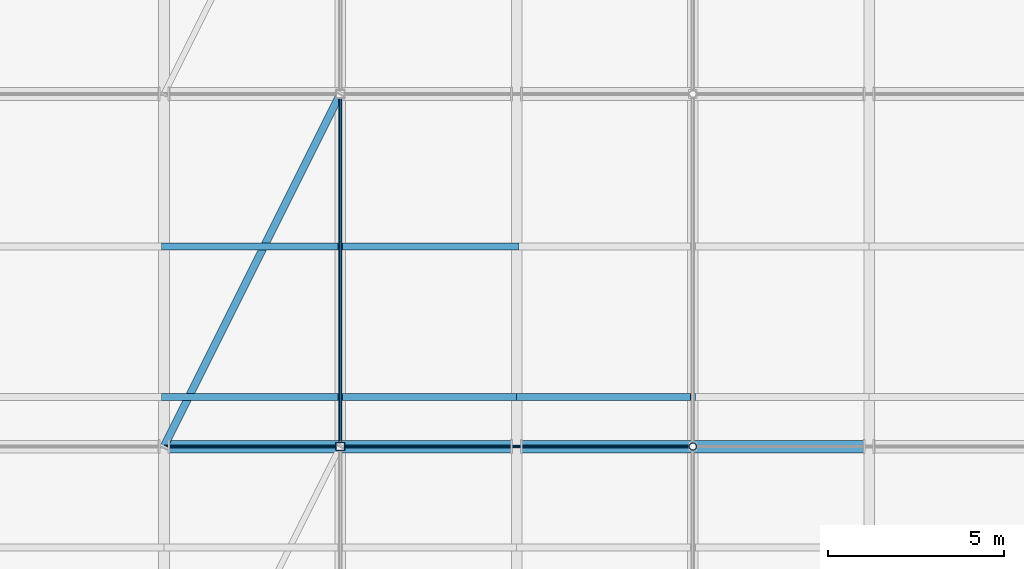
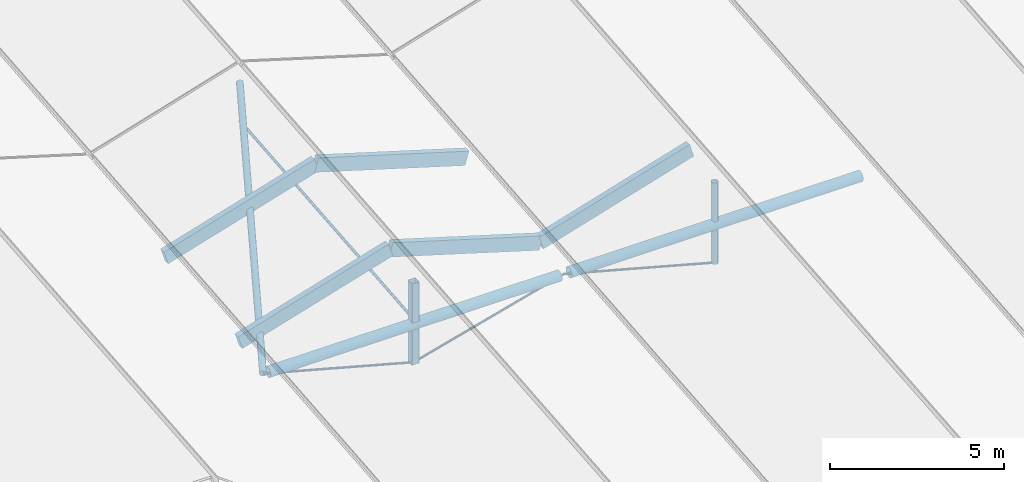
# One storey, part 25 of 90: 12 members, 2 beams.
"""IFC4 building model written with IfcOpenShell, lengths in metres."""

from ifc_helpers import new_model, si_unit, direction, frame, origin, origin_2d, place, context, subcontext, project, spatial, rectangle, hollow_rectangle, circle, hollow_circle, extrude, material, material_profile, profile_set, type_object, element, save


model = new_model("IFC4")

# Units and contexts
model_context = context("Model", 3, precision=1e-05, world=origin(), true_north=direction((0.0, 1.0)))
body_context = subcontext(model_context, "Body", "Model", "MODEL_VIEW")
ifc_project = project(units=[si_unit("LENGTHUNIT", "METRE"), si_unit("AREAUNIT", "SQUARE_METRE"), si_unit("VOLUMEUNIT", "CUBIC_METRE"), si_unit("PLANEANGLEUNIT", "RADIAN"), si_unit("MASSUNIT", "GRAM", prefix="KILO"), si_unit("THERMODYNAMICTEMPERATUREUNIT", "KELVIN"), si_unit("POWERUNIT", "WATT")], contexts=[model_context])

# Site, building, storey
site_placement = place(None, origin())
site = spatial("IfcSite", under=ifc_project, at=site_placement, CompositionType="ELEMENT")
building_placement = place(site_placement, origin())
building = spatial("IfcBuilding", under=site, at=building_placement, Name="Korenveer Ferry Terminal", CompositionType="ELEMENT")
storey_placement = place(building_placement, frame((0.0, 0.0, 22.199951171875)))
storey = spatial("IfcBuildingStorey", under=building, at=storey_placement, Name="RF", CompositionType="ELEMENT", Elevation=22.199951171875)

# Members
ifc_material_1 = material(Name="Steel S355", Category="steel")
ifc_material_profile_1 = material_profile(ifc_material_1, hollow_circle(Radius=0.109619140625, WallThickness=0.012451171875, at=origin_2d()), Name="CHS 219.1x12.5")
ifc_profile_set_1 = profile_set([ifc_material_profile_1], Name="Steel S355")
member_type_1 = type_object("IfcMemberType", Name="STR-BRC-CHS219", PredefinedType="BRACE", material=ifc_profile_set_1)
member_1_placement = place(storey_placement, frame((63.0, 70.0, -6.861572265625), z_axis=(0.437110045644, 0.874220091289, 0.211362342872), x_axis=(-0.894427191, 0.4472135955, 0.0)))
element("IfcMember", 1, at=member_1_placement, inside=storey, type_object=member_type_1, Name="Roof wind brace BRCRF-B1-Y70", PredefinedType="BRACE", context=body_context, shape_type="SweptSolid", body=[
    extrude(hollow_circle(Radius=0.109619140625, WallThickness=0.012451171875, at=origin_2d()), origin(), (0.0, 0.0, 1.0), 11.438720703125),
])
ifc_material_2 = material(Name="High-strength steel S460", Category="steel")
ifc_material_profile_2 = material_profile(ifc_material_2, circle(Radius=0.0380859375, at=origin_2d()), Name="ROD D76")
ifc_profile_set_2 = profile_set([ifc_material_profile_2], Name="High-strength steel S460")
member_type_2 = type_object("IfcMemberType", Name="STR-CBL-D76", PredefinedType="USERDEFINED", material=ifc_profile_set_2)
for number, where, z_axis, x_axis, name in (
    (2, (63.0, 70.0, -6.861572265625), (0.965424337217, 0.0, -0.260683426993), (0.0, 1.0, 0.0), "Roof tension tie cable 45"),
    (3, (73.0, 70.0, -6.861572265625), (-0.965424337217, 0.0, -0.260683426993), (0.0, -1.0, 0.0), "Roof tension tie cable 46"),
    (4, (73.0, 70.0, -6.861572265625), (0.965424337217, 0.0, -0.260683426993), (0.0, 1.0, 0.0), "Roof tension tie cable 47"),
):
    element("IfcMember", number, at=place(storey_placement, frame(where, z_axis=z_axis, x_axis=x_axis)), inside=storey, type_object=member_type_2, Name=name, ObjectType="CABLE", PredefinedType="USERDEFINED", context=body_context, shape_type="SweptSolid", body=[
        extrude(circle(Radius=0.0380859375, at=origin_2d()), origin(), (0.0, 0.0, 1.0), 5.178955078125),
    ])
ifc_material_profile_3 = material_profile(ifc_material_2, circle(Radius=0.044921875, at=origin_2d()), Name="ROD D90")
ifc_profile_set_3 = profile_set([ifc_material_profile_3], Name="High-strength steel S460")
member_type_3 = type_object("IfcMemberType", Name="STR-CBL-D90", PredefinedType="USERDEFINED", material=ifc_profile_set_3)
member_2_placement = place(storey_placement, frame((68.0, 70.0, -6.701904296875), z_axis=(0.0, 0.995903364261, 0.090423940715), x_axis=(-1.0, 0.0, 0.0)))
element("IfcMember", 5, at=member_2_placement, inside=storey, type_object=member_type_3, Name="Longitudinal jaw-stay cable 106", ObjectType="CABLE", PredefinedType="USERDEFINED", context=body_context, shape_type="SweptSolid", body=[
    extrude(circle(Radius=0.044921875, at=origin_2d()), origin(), (0.0, 0.0, 1.0), 10.041015625),
])
ifc_material_3 = material(Name="Glulam GL28h", Category="wood")
ifc_material_profile_4 = material_profile(ifc_material_3, rectangle(XDim=0.199951171875, YDim=0.47998046875, at=origin_2d()), Name="GL 200x480")
ifc_profile_set_4 = profile_set([ifc_material_profile_4], Name="Glulam GL28h")
member_type_4 = type_object("IfcMemberType", Name="STR-PUR-GL200", PredefinedType="PURLIN", material=ifc_profile_set_4)
for number, where, z_axis, x_axis, name in (
    (6, (63.0, 71.4072265625, -6.575439453125), (0.957323074362, 0.0, 0.289019949647), (0.0, 1.0, 0.0), "Folded roof glulam purlin 53"),
    (7, (63.0, 75.678466796875, -6.187744140625), (0.957310140112, 0.0, 0.289062788401), (0.0, 1.0, 0.0), "Folded roof glulam purlin 54"),
    (8, (68.0, 71.4072265625, -5.06591796875), (0.957323074362, 0.0, -0.289019949647), (0.0, 1.0, 0.0), "Folded roof glulam purlin 59"),
    (9, (68.0, 75.678466796875, -4.677978515625), (0.957310140112, 0.0, -0.289062788401), (0.0, 1.0, 0.0), "Folded roof glulam purlin 60"),
    (10, (73.0, 71.4072265625, -6.575439453125), (0.957323074362, 0.0, 0.289019949647), (0.0, 1.0, 0.0), "Folded roof glulam purlin 89"),
):
    element("IfcMember", number, at=place(storey_placement, frame(where, z_axis=z_axis, x_axis=x_axis)), inside=storey, type_object=member_type_4, Name=name, PredefinedType="PURLIN", context=body_context, shape_type="SweptSolid", body=[
        extrude(rectangle(XDim=0.199951171875, YDim=0.47998046875, at=origin_2d()), origin(), (0.0, 0.0, 1.0), 5.222900390625),
    ])

# Beams
ifc_material_profile_5 = material_profile(ifc_material_1, hollow_circle(Radius=0.177734375, WallThickness=0.01611328125, at=origin_2d()), Name="CHS 355.6x16")
ifc_profile_set_5 = profile_set([ifc_material_profile_5], Name="Steel S355")
beam_type = type_object("IfcBeamType", Name="STR-RFG-CHS355", PredefinedType="USERDEFINED", material=ifc_profile_set_5)
for number, where, z_axis, x_axis, name in (
    (11, (63.159912109375, 70.0, -6.861572265625), (1.0, 0.0, 0.0), (0.0, 1.0, 0.0), "Roof transverse tie girder 111"),
    (12, (73.159912109375, 70.0, -6.861572265625), (1.0, 0.0, 0.0), (0.0, 1.0, 0.0), "Roof transverse tie girder 112"),
):
    element("IfcBeam", number, at=place(storey_placement, frame(where, z_axis=z_axis, x_axis=x_axis)), inside=storey, type_object=beam_type, Name=name, ObjectType="ROOF GIRDER", PredefinedType="USERDEFINED", context=body_context, shape_type="SweptSolid", body=[
        extrude(hollow_circle(Radius=0.177734375, WallThickness=0.01611328125, at=origin_2d()), origin(), (0.0, 0.0, 1.0), 9.68017578125),
    ])

# Members
ifc_material_profile_6 = material_profile(ifc_material_1, hollow_circle(Radius=0.109619140625, WallThickness=0.012451171875, at=origin_2d()), Name="CHS 219.1x12.5")
ifc_profile_set_6 = profile_set([ifc_material_profile_6], Name="Steel S355")
member_type_5 = type_object("IfcMemberType", Name="STR-STT-CHS219", PredefinedType="STRUT", material=ifc_profile_set_6)
member_3_placement = place(storey_placement, frame((78.0, 70.0, -8.211669921875), z_axis=(0.0, 0.0, 1.0), x_axis=(1.0, 0.0, 0.0)))
element("IfcMember", 13, at=member_3_placement, inside=storey, type_object=member_type_5, Name="Roof king-post strut STTKP-Y70-B2", PredefinedType="STRUT", context=body_context, shape_type="SweptSolid", body=[
    extrude(hollow_circle(Radius=0.109619140625, WallThickness=0.012451171875, at=origin_2d()), origin(), (0.0, 0.0, 1.0), 2.859619140625),
])
ifc_material_profile_7 = material_profile(ifc_material_1, hollow_rectangle(XDim=0.25, YDim=0.25, WallThickness=0.012451171875, InnerFilletRadius=0.012451171875, OuterFilletRadius=0.018798828125, at=origin_2d()), Name="SHS 250x250x12.5")
ifc_profile_set_7 = profile_set([ifc_material_profile_7], Name="Steel S355")
member_type_6 = type_object("IfcMemberType", Name="STR-STT-SHS250", PredefinedType="STRUT", material=ifc_profile_set_7)
member_4_placement = place(storey_placement, frame((68.0, 70.0, -8.211669921875), z_axis=(0.0, 0.0, 1.0), x_axis=(1.0, 0.0, 0.0)))
element("IfcMember", 14, at=member_4_placement, inside=storey, type_object=member_type_6, Name="Roof king-post strut STTKP-Y70-B1", PredefinedType="STRUT", context=body_context, shape_type="SweptSolid", body=[
    extrude(hollow_rectangle(XDim=0.25, YDim=0.25, WallThickness=0.012451171875, InnerFilletRadius=0.012451171875, OuterFilletRadius=0.018798828125, at=origin_2d()), origin(), (0.0, 0.0, 1.0), 2.859619140625),
])

save(model, "model.ifc")
